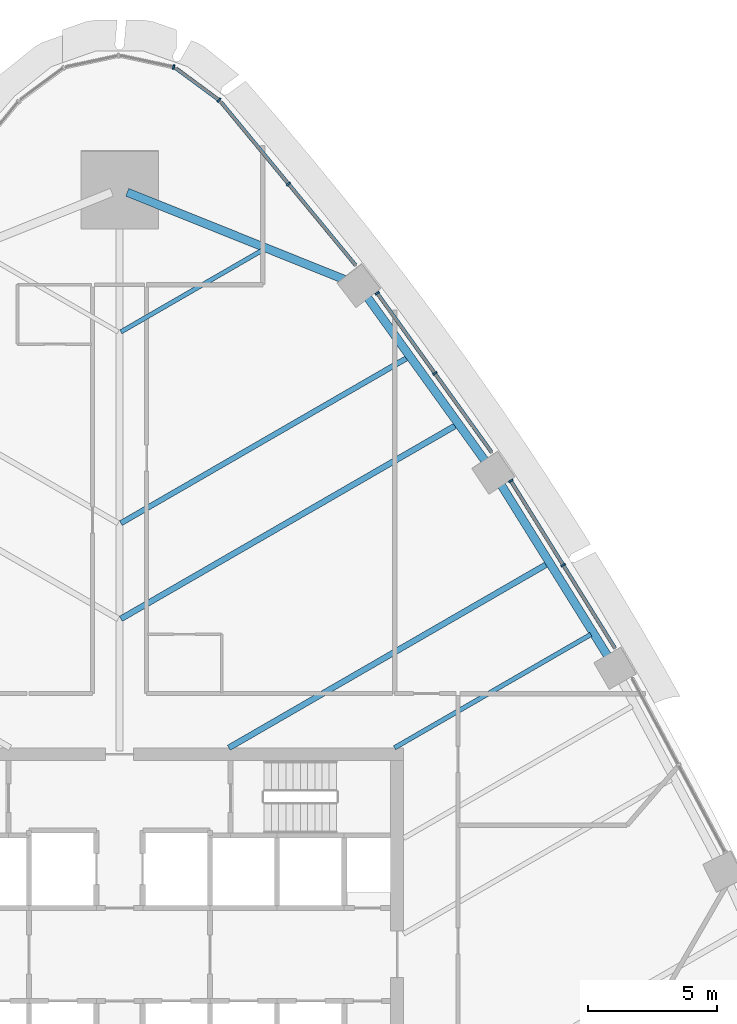
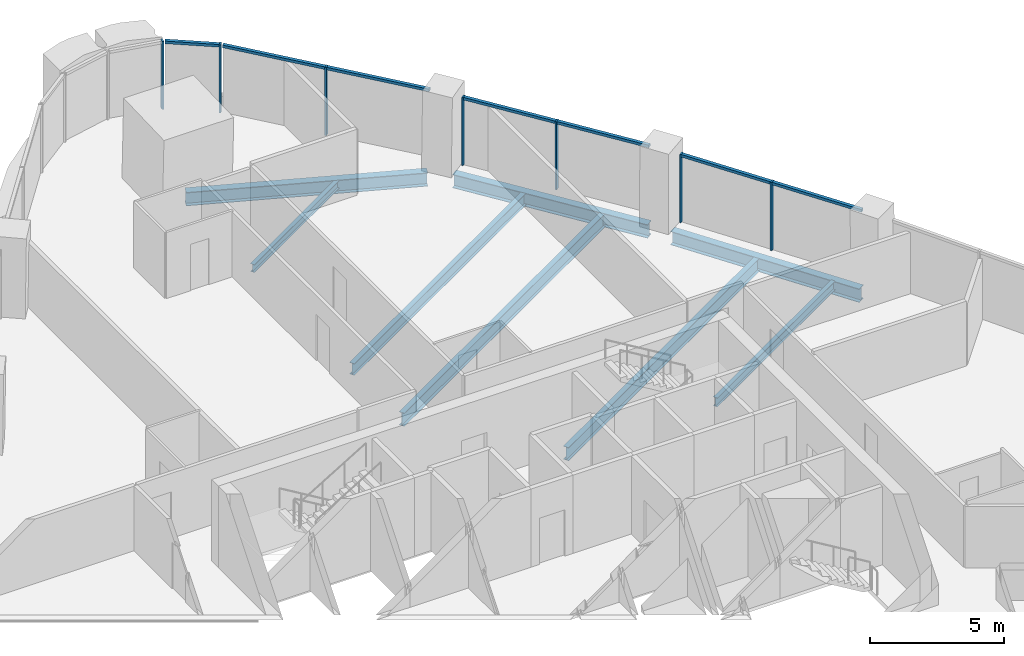
# One storey, part 7 of 17: 14 members, 8 beams, 5 elements without a shape of their own.
"""IFC4 building model written with IfcOpenShell, lengths in metres."""

import ifcopenshell
import ifcopenshell.guid

model = None  # the IFC model being written
_history = None  # IfcOwnerHistory: only IFC2X3 demands one
_inside = {}  # id of a spatial element -> (the spatial element, [elements in it])
_under = {}  # id of a project, library or spatial element -> (it, [spatial elements below it])
_declared = {}  # id of a project -> (the project, [libraries it declares])
_typed = {}  # id of a type object -> (the type object, [elements of that type])
_made_of = {}  # id of a material, layer set ... -> (it, [elements and type objects made of it])


def new_model(schema):
    """Start an empty IFC model of exactly this schema.

    Asked for "IFC4X3", IfcOpenShell would pick the latest addendum, in which some entities
    have other attributes; the version numbers below select the first issue.
    IFC2X3 requires an IfcOwnerHistory on every rooted entity: one is made here for all.
    """
    global model, _history
    if schema == "IFC4X3":
        model = ifcopenshell.file(schema_version=(4, 3, 0, 0))
    else:
        model = ifcopenshell.file(schema=schema)
    _inside.clear()
    _under.clear()
    _declared.clear()
    _typed.clear()
    _made_of.clear()
    _history = None
    if model.schema == "IFC2X3":
        org = make("IfcOrganization", Name="unknown")
        user = make(
            "IfcPersonAndOrganization",
            ThePerson=make("IfcPerson", FamilyName="unknown"),
            TheOrganization=org,
        )
        app = make(
            "IfcApplication",
            ApplicationDeveloper=org,
            Version="unknown",
            ApplicationFullName="unknown",
            ApplicationIdentifier="unknown",
        )
        _history = make(
            "IfcOwnerHistory",
            OwningUser=user,
            OwningApplication=app,
            ChangeAction="ADDED",
            CreationDate=0,
        )
    return model


def make(cls, **values):
    """One entity of the class cls with the attributes given. An attribute that is None is left unset."""
    return model.create_entity(
        cls, **{name: value for name, value in values.items() if value is not None}
    )


def rooted(cls, **values):
    """An entity with a GlobalId (a new one), such as an element, a storey or a relation."""
    return make(cls, GlobalId=ifcopenshell.guid.new(), OwnerHistory=_history, **values)


def si_unit(unit_type, name, prefix=None):
    """IfcSIUnit, for example si_unit("LENGTHUNIT", "METRE", prefix="MILLI")."""
    return make("IfcSIUnit", UnitType=unit_type, Prefix=prefix, Name=name)


def assignment(units):
    """IfcUnitAssignment: the units of a project."""
    return None if units is None else make("IfcUnitAssignment", Units=units)


def point(xyz):
    """IfcCartesianPoint."""
    return None if xyz is None else make("IfcCartesianPoint", Coordinates=xyz)


def direction(xyz):
    """IfcDirection."""
    return None if xyz is None else make("IfcDirection", DirectionRatios=xyz)


def frame(location, z_axis=None, x_axis=None):
    """IfcAxis2Placement3D, a coordinate frame: its origin and axes. An axis left out is left unset."""
    return make(
        "IfcAxis2Placement3D",
        Location=point(location),
        Axis=direction(z_axis),
        RefDirection=direction(x_axis),
    )


def frame_2d(location, x_axis=None):
    """IfcAxis2Placement2D, a coordinate frame in the plane: its origin and x axis."""
    return make(
        "IfcAxis2Placement2D", Location=point(location), RefDirection=direction(x_axis)
    )


def origin():
    """The frame at (0, 0, 0) with its axes left unset."""
    return frame((0.0, 0.0, 0.0))


def origin_2d():
    """The frame at (0, 0) in the plane with its x axis left unset."""
    return frame_2d((0.0, 0.0))


def place(relative_to, where):
    """IfcLocalPlacement: puts the frame where relative to a parent placement (None: the world)."""
    return make(
        "IfcLocalPlacement", PlacementRelTo=relative_to, RelativePlacement=where
    )


def context(
    kind, dimensions, precision=None, world=None, true_north=None, identifier=None
):
    """IfcGeometricRepresentationContext, for example the 3D "Model" context."""
    return make(
        "IfcGeometricRepresentationContext",
        ContextIdentifier=identifier,
        ContextType=kind,
        CoordinateSpaceDimension=dimensions,
        Precision=precision,
        WorldCoordinateSystem=world,
        TrueNorth=true_north,
    )


def subcontext(parent, identifier, kind, view, scale=None):
    """IfcGeometricRepresentationSubContext, for example "Body" below "Model"."""
    return make(
        "IfcGeometricRepresentationSubContext",
        ContextIdentifier=identifier,
        ContextType=kind,
        ParentContext=parent,
        TargetScale=scale,
        TargetView=view,
    )


def project(units=None, contexts=None):
    """IfcProject with its units and contexts."""
    return rooted(
        "IfcProject",
        Name="project",
        RepresentationContexts=contexts,
        UnitsInContext=assignment(units),
    )


def spatial(cls, under=None, at=None, **own):
    """A site, building, storey or space (cls), placed at a placement, below another one or the project."""
    s = rooted(cls, ObjectPlacement=at, **own)
    if under is not None:
        _under.setdefault(under.id(), (under, []))[1].append(s)
    return s


def profile(cls, at=None, kind="AREA", **sizes):
    """A parametric profile (cls). Its sizes go by their IFC names, for example OverallWidth=200.0."""
    return make(cls, ProfileType=kind, Position=at, **sizes)


def rectangle(**sizes):
    """IfcRectangleProfileDef."""
    return profile("IfcRectangleProfileDef", **sizes)


def i_section(**sizes):
    """IfcIShapeProfileDef."""
    return profile("IfcIShapeProfileDef", **sizes)


def extrude(swept, where, along, depth):
    """IfcExtrudedAreaSolid: the profile swept, set in the frame where, extruded along a direction by depth."""
    return make(
        "IfcExtrudedAreaSolid",
        SweptArea=swept,
        Position=where,
        ExtrudedDirection=direction(along),
        Depth=depth,
    )


def shape(context_of_items, identifier, shape_type, items):
    """IfcShapeRepresentation: the items that make up one representation, for example the "Body"."""
    return make(
        "IfcShapeRepresentation",
        ContextOfItems=context_of_items,
        RepresentationIdentifier=identifier,
        RepresentationType=shape_type,
        Items=items,
    )


def material(Name=None, Category=None):
    """IfcMaterial."""
    return make("IfcMaterial", Name=Name, Category=Category)


def layer(
    of_material, thickness, ventilated=None, Name=None, Category=None, Priority=None
):
    """IfcMaterialLayer: one layer of a wall or slab, of a material (None: an air gap)."""
    return make(
        "IfcMaterialLayer",
        Material=of_material,
        LayerThickness=thickness,
        IsVentilated=ventilated,
        Name=Name,
        Category=Category,
        Priority=Priority,
    )


def layer_set(layers, Name=None):
    """IfcMaterialLayerSet."""
    return make("IfcMaterialLayerSet", MaterialLayers=layers, LayerSetName=Name)


def material_profile(
    of_material, cross_section, Name=None, Category=None, Priority=None
):
    """IfcMaterialProfile: a cross section and its material."""
    return make(
        "IfcMaterialProfile",
        Name=Name,
        Material=of_material,
        Profile=cross_section,
        Priority=Priority,
        Category=Category,
    )


def profile_set(profiles, Name=None, composite=None):
    """IfcMaterialProfileSet."""
    return make(
        "IfcMaterialProfileSet",
        Name=Name,
        MaterialProfiles=profiles,
        CompositeProfile=composite,
    )


def made_of(thing, what):
    """Note that an element or type object is made of a material, layer set ...; save() writes the relation."""
    if what is not None:
        _made_of.setdefault(what.id(), (what, []))[1].append(thing)
    return thing


def type_object(cls, material=None, **own):
    """A type object (cls), such as IfcWallType, which elements share."""
    return made_of(rooted(cls, **own), material)


def element(
    cls,
    number,
    at=None,
    inside=None,
    cuts=None,
    type_object=None,
    material=None,
    context=None,
    identifier="Body",
    shape_type=None,
    held_by="IfcProductDefinitionShape",
    body=None,
    shapes=None,
    **own,
):
    """One element of the class cls, such as IfcWall. Its Tag is "e" and its number.

    at: its placement. inside: the storey or other place that contains it. cuts: it is an
    opening in that element (IfcRelVoidsElement). A single representation is given by context,
    identifier, shape_type and body (its items); several are given by shapes. held_by: the class
    of the entity that holds the representations. save() writes the other relations.
    """
    e = rooted(cls, Tag="e%d" % number, ObjectPlacement=at, **own)
    if body is not None:
        shapes = [shape(context, identifier, shape_type, body)]
    if shapes is not None:
        e.Representation = make(held_by, Representations=shapes)
    if inside is not None:
        _inside.setdefault(inside.id(), (inside, []))[1].append(e)
    if cuts is not None:
        rooted(
            "IfcRelVoidsElement", RelatingBuildingElement=cuts, RelatedOpeningElement=e
        )
    if type_object is not None:
        _typed.setdefault(type_object.id(), (type_object, []))[1].append(e)
    return made_of(e, material)


def aggregate(whole, parts):
    """IfcRelAggregates: a whole, such as a stair, and the parts it consists of."""
    return rooted("IfcRelAggregates", RelatingObject=whole, RelatedObjects=parts)


def save(model, path):
    """Write the relations noted so far, then the file.

    IfcRelAggregates (storeys below a building ...), IfcRelContainedInSpatialStructure (elements
    in a storey), IfcRelDefinesByType, IfcRelAssociatesMaterial and IfcRelDeclares: one each for
    every whole, place, type object, material and project.
    """
    for whole, parts in _under.values():
        aggregate(whole, parts)
    for where, things in _inside.values():
        rooted(
            "IfcRelContainedInSpatialStructure",
            RelatedElements=things,
            RelatingStructure=where,
        )
    for kind, things in _typed.values():
        rooted("IfcRelDefinesByType", RelatedObjects=things, RelatingType=kind)
    for what, things in _made_of.values():
        rooted("IfcRelAssociatesMaterial", RelatedObjects=things, RelatingMaterial=what)
    for by, libraries in _declared.values():
        rooted("IfcRelDeclares", RelatingContext=by, RelatedDefinitions=libraries)
    model.write(path)


model = new_model("IFC4")

# Units and contexts
model_context = context("Model", 3, precision=1e-05, world=origin(), true_north=direction((0.0, 1.0)))
body_context = subcontext(model_context, "Body", "Model", "MODEL_VIEW")
ifc_project = project(units=[si_unit("LENGTHUNIT", "METRE"), si_unit("AREAUNIT", "SQUARE_METRE"), si_unit("VOLUMEUNIT", "CUBIC_METRE"), si_unit("PLANEANGLEUNIT", "RADIAN"), si_unit("MASSUNIT", "GRAM", prefix="KILO")], contexts=[model_context])

# Site, building, storey
site_placement = place(None, origin())
site = spatial("IfcSite", under=ifc_project, at=site_placement, CompositionType="ELEMENT")
building_placement = place(site_placement, origin())
building = spatial("IfcBuilding", under=site, at=building_placement, Name="Sierra Prisma Convention Tower", CompositionType="ELEMENT")
storey_placement = place(building_placement, frame((0.0, 0.0, 99.800048828125)))
storey = spatial("IfcBuildingStorey", under=building, at=storey_placement, Name="L21", CompositionType="ELEMENT", Elevation=99.800048828125)

# Curtain wall, members
ifc_material_1 = material(Name="Aluminium and glass curtain wall", Category="aluminium")
ifc_layer = layer(ifc_material_1, 0.179931640625)
ifc_layer_set = layer_set([ifc_layer], Name="CW-1 Plain shaft curtain wall")
curtain_wall_type = type_object("IfcCurtainWallType", Name="CW-1 Plain shaft curtain wall", PredefinedType="NOTDEFINED", material=ifc_layer_set)
curtain_wall_1_placement = place(storey_placement, origin())
curtain_wall_1 = element("IfcCurtainWall", 1, at=curtain_wall_1_placement, inside=storey, type_object=curtain_wall_type, Name="CW-1 NE4 L21", PredefinedType="NOTDEFINED")
ifc_material_2 = material(Name="Aluminium 6063-T6 bronze anodised", Category="aluminium")
ifc_material_profile_1 = material_profile(ifc_material_2, rectangle(XDim=0.179931640625, YDim=0.070068359375, at=origin_2d()), Name="ALU MULLION 70x180")
ifc_profile_set_1 = profile_set([ifc_material_profile_1], Name="Aluminium 6063-T6 bronze anodised")
member_type_1 = type_object("IfcMemberType", Name="CW mullion bronze", PredefinedType="MULLION", material=ifc_profile_set_1)
member_1_placement = place(storey_placement, frame((17.178466796875, 15.0771484375, 0.0), z_axis=(0.0, 0.0, 1.0), x_axis=(-0.848902452904, -0.528549548722, 0.0)))
member_1 = element("IfcMember", 2, at=member_1_placement, type_object=member_type_1, Name="CW-1 mullion NE4.2", PredefinedType="MULLION", context=body_context, shape_type="SweptSolid", body=[
    extrude(rectangle(XDim=0.179931640625, YDim=0.070068359375, at=origin_2d()), origin(), (0.0, 0.0, 1.0), 3.099853515625),
])
member_2_placement = place(storey_placement, frame((15.151123046875, 18.3330078125, 0.0), z_axis=(0.0, 0.0, 1.0), x_axis=(-0.848902452904, -0.528549548722, 0.0)))
member_2 = element("IfcMember", 3, at=member_2_placement, type_object=member_type_1, Name="CW-1 mullion NE4.3", PredefinedType="MULLION", context=body_context, shape_type="SweptSolid", body=[
    extrude(rectangle(XDim=0.179931640625, YDim=0.070068359375, at=origin_2d()), origin(), (0.0, 0.0, 1.0), 3.099853515625),
])

curtain_wall_2_placement = place(storey_placement, origin())
curtain_wall_2 = element("IfcCurtainWall", 4, at=curtain_wall_2_placement, inside=storey, type_object=curtain_wall_type, Name="CW-1 NE5 L21", PredefinedType="NOTDEFINED")
member_3_placement = place(storey_placement, frame((12.207763671875, 22.49951171875, 0.0), z_axis=(0.0, 0.0, 1.0), x_axis=(-0.811854125808, -0.583860324401, 0.0)))
member_3 = element("IfcMember", 5, at=member_3_placement, type_object=member_type_1, Name="CW-1 mullion NE5.2", PredefinedType="MULLION", context=body_context, shape_type="SweptSolid", body=[
    extrude(rectangle(XDim=0.179931640625, YDim=0.070068359375, at=origin_2d()), origin(), (0.0, 0.0, 1.0), 3.099853515625),
])
member_4_placement = place(storey_placement, frame((9.9775390625, 25.600830078125, 0.0), z_axis=(0.0, 0.0, 1.0), x_axis=(-0.811854125808, -0.583860324401, 0.0)))
member_4 = element("IfcMember", 6, at=member_4_placement, type_object=member_type_1, Name="CW-1 mullion NE5.3", PredefinedType="MULLION", context=body_context, shape_type="SweptSolid", body=[
    extrude(rectangle(XDim=0.179931640625, YDim=0.070068359375, at=origin_2d()), origin(), (0.0, 0.0, 1.0), 3.099853515625),
])

# Curtain wall, member
curtain_wall_3_placement = place(storey_placement, origin())
curtain_wall_3 = element("IfcCurtainWall", 7, at=curtain_wall_3_placement, inside=storey, type_object=curtain_wall_type, Name="CW-1 NE6 L21", PredefinedType="NOTDEFINED")
member_5_placement = place(storey_placement, frame((6.54052734375, 29.83544921875, 0.0), z_axis=(0.0, 0.0, 1.0), x_axis=(-0.771207774523, -0.636583512601, 0.0)))
member_5 = element("IfcMember", 8, at=member_5_placement, type_object=member_type_1, Name="CW-1 mullion NE6.2", PredefinedType="MULLION", context=body_context, shape_type="SweptSolid", body=[
    extrude(rectangle(XDim=0.179931640625, YDim=0.070068359375, at=origin_2d()), origin(), (0.0, 0.0, 1.0), 3.099853515625),
])

curtain_wall_4_placement = place(storey_placement, origin())
curtain_wall_4 = element("IfcCurtainWall", 9, at=curtain_wall_4_placement, inside=storey, type_object=curtain_wall_type, Name="CW-1 N1 L21", PredefinedType="NOTDEFINED")
member_6_placement = place(storey_placement, frame((3.853759765625, 33.0771484375, 0.0), z_axis=(0.0, 0.0, 1.0), x_axis=(-0.593646766455, -0.804725740037, 0.0)))
member_6 = element("IfcMember", 10, at=member_6_placement, type_object=member_type_1, Name="CW-1 mullion N1.1", PredefinedType="MULLION", context=body_context, shape_type="SweptSolid", body=[
    extrude(rectangle(XDim=0.179931640625, YDim=0.070068359375, at=origin_2d()), origin(), (0.0, 0.0, 1.0), 3.099853515625),
])

curtain_wall_5_placement = place(storey_placement, origin())
curtain_wall_5 = element("IfcCurtainWall", 11, at=curtain_wall_5_placement, inside=storey, type_object=curtain_wall_type, Name="CW-1 N2 L21", PredefinedType="NOTDEFINED")
member_7_placement = place(storey_placement, frame((2.094970703125, 34.356689453125, 0.0), z_axis=(0.0, 0.0, 1.0), x_axis=(-0.210279651786, -0.977641277793, 0.0)))
member_7 = element("IfcMember", 12, at=member_7_placement, type_object=member_type_1, Name="CW-1 mullion N2.1", PredefinedType="MULLION", context=body_context, shape_type="SweptSolid", body=[
    extrude(rectangle(XDim=0.179931640625, YDim=0.070068359375, at=origin_2d()), origin(), (0.0, 0.0, 1.0), 3.099853515625),
])
aggregate(curtain_wall_5, [member_7])

# Member
ifc_material_3 = material(Name="Aluminium 6063-T6 bronze anodised", Category="aluminium")
ifc_material_profile_2 = material_profile(ifc_material_3, rectangle(XDim=0.139892578125, YDim=0.1201171875, at=origin_2d()), Name="ALU TRANSOM 120x140")
ifc_profile_set_2 = profile_set([ifc_material_profile_2], Name="Aluminium 6063-T6 bronze anodised")
member_type_2 = type_object("IfcMemberType", Name="CW transom bronze", PredefinedType="USERDEFINED", material=ifc_profile_set_2)
member_8_placement = place(storey_placement, frame((19.18701171875, 11.850830078125, 3.0400390625), z_axis=(-0.528500266336, 0.84893313546, 0.0), x_axis=(-0.84893313546, -0.528500266336, 0.0)))
member_8 = element("IfcMember", 13, at=member_8_placement, type_object=member_type_2, Name="CW-1 transom NE4.1", ObjectType="TRANSOM", PredefinedType="USERDEFINED", context=body_context, shape_type="SweptSolid", body=[
    extrude(rectangle(XDim=0.139892578125, YDim=0.1201171875, at=origin_2d()), origin(), (0.0, 0.0, 1.0), 3.765380859375),
])

member_9_placement = place(storey_placement, frame((17.159912109375, 15.106689453125, 3.0400390625), z_axis=(-0.528546992375, 0.848904044549, 0.0), x_axis=(-0.848904044549, -0.528546992375, 0.0)))
member_9 = element("IfcMember", 14, at=member_9_placement, type_object=member_type_2, Name="CW-1 transom NE4.2", ObjectType="TRANSOM", PredefinedType="USERDEFINED", context=body_context, shape_type="SweptSolid", body=[
    extrude(rectangle(XDim=0.139892578125, YDim=0.1201171875, at=origin_2d()), origin(), (0.0, 0.0, 1.0), 3.765380859375),
])

aggregate(curtain_wall_1, [member_1, member_2, member_8, member_9])

member_10_placement = place(storey_placement, frame((14.417724609375, 19.4267578125, 3.0400390625), z_axis=(-0.583858715212, 0.811855283084, 0.0), x_axis=(-0.811855283084, -0.583858715212, 0.0)))
member_10 = element("IfcMember", 15, at=member_10_placement, type_object=member_type_2, Name="CW-1 transom NE5.1", ObjectType="TRANSOM", PredefinedType="USERDEFINED", context=body_context, shape_type="SweptSolid", body=[
    extrude(rectangle(XDim=0.139892578125, YDim=0.1201171875, at=origin_2d()), origin(), (0.0, 0.0, 1.0), 3.75),
])

member_11_placement = place(storey_placement, frame((12.1875, 22.52783203125, 3.0400390625), z_axis=(-0.583858715212, 0.811855283084, 0.0), x_axis=(-0.811855283084, -0.583858715212, 0.0)))
member_11 = element("IfcMember", 16, at=member_11_placement, type_object=member_type_2, Name="CW-1 transom NE5.2", ObjectType="TRANSOM", PredefinedType="USERDEFINED", context=body_context, shape_type="SweptSolid", body=[
    extrude(rectangle(XDim=0.139892578125, YDim=0.1201171875, at=origin_2d()), origin(), (0.0, 0.0, 1.0), 3.75),
])

aggregate(curtain_wall_2, [member_3, member_4, member_10, member_11])

member_12_placement = place(storey_placement, frame((9.15478515625, 26.668212890625, 3.0400390625), z_axis=(-0.636555978825, 0.771230501097, 0.0), x_axis=(-0.771230501097, -0.636555978825, 0.0)))
member_12 = element("IfcMember", 17, at=member_12_placement, type_object=member_type_2, Name="CW-1 transom NE6.1", ObjectType="TRANSOM", PredefinedType="USERDEFINED", context=body_context, shape_type="SweptSolid", body=[
    extrude(rectangle(XDim=0.139892578125, YDim=0.1201171875, at=origin_2d()), origin(), (0.0, 0.0, 1.0), 4.071533203125),
])

member_13_placement = place(storey_placement, frame((6.518310546875, 29.8623046875, 3.0400390625), z_axis=(-0.636591641936, 0.771201064197, 0.0), x_axis=(-0.771201064197, -0.636591641936, 0.0)))
member_13 = element("IfcMember", 18, at=member_13_placement, type_object=member_type_2, Name="CW-1 transom NE6.2", ObjectType="TRANSOM", PredefinedType="USERDEFINED", context=body_context, shape_type="SweptSolid", body=[
    extrude(rectangle(XDim=0.139892578125, YDim=0.1201171875, at=origin_2d()), origin(), (0.0, 0.0, 1.0), 4.07177734375),
])

aggregate(curtain_wall_3, [member_5, member_12, member_13])

member_14_placement = place(storey_placement, frame((3.825439453125, 33.09814453125, 3.0400390625), z_axis=(-0.804733512793, 0.593636229848, 0.0), x_axis=(-0.593636229848, -0.804733512793, 0.0)))
member_14 = element("IfcMember", 19, at=member_14_placement, type_object=member_type_2, Name="CW-1 transom N1.1", ObjectType="TRANSOM", PredefinedType="USERDEFINED", context=body_context, shape_type="SweptSolid", body=[
    extrude(rectangle(XDim=0.139892578125, YDim=0.1201171875, at=origin_2d()), origin(), (0.0, 0.0, 1.0), 2.037841796875),
])

aggregate(curtain_wall_4, [member_6, member_14])

# Beams
ifc_material_4 = material(Name="Steel ASTM A992 Gr 50", Category="steel")
ifc_material_profile_3 = material_profile(ifc_material_4, i_section(OverallWidth=0.172119140625, OverallDepth=0.35791015625, WebThickness=0.0078125, FlangeThickness=0.01318359375, at=origin_2d()), Name="W360x57")
ifc_profile_set_3 = profile_set([ifc_material_profile_3], Name="Steel ASTM A992 Gr 50")
beam_type_1 = type_object("IfcBeamType", Name="Floor joist W360x57", PredefinedType="JOIST", material=ifc_profile_set_3)
beam_1_placement = place(storey_placement, frame((5.538818359375, 27.271240234375, -0.3291015625), z_axis=(-0.866026414276, -0.499998249773, 0.0), x_axis=(0.499998249773, -0.866026414276, 0.0)))
element("IfcBeam", 20, at=beam_1_placement, inside=storey, type_object=beam_type_1, Name="Floor joist L21 NE15", PredefinedType="JOIST", context=body_context, shape_type="SweptSolid", body=[
    extrude(i_section(OverallWidth=0.172119140625, OverallDepth=0.35791015625, WebThickness=0.0078125, FlangeThickness=0.01318359375, at=origin_2d()), origin(), (0.0, 0.0, 1.0), 6.33447265625),
])
ifc_material_5 = material(Name="Steel ASTM A992 Gr 50", Category="steel")
ifc_material_profile_4 = material_profile(ifc_material_5, i_section(OverallWidth=0.177978515625, OverallDepth=0.406982421875, WebThickness=0.0078125, FlangeThickness=0.0126953125, at=origin_2d()), Name="W410x60")
ifc_profile_set_4 = profile_set([ifc_material_profile_4], Name="Steel ASTM A992 Gr 50")
beam_type_2 = type_object("IfcBeamType", Name="Floor joist W410x60", PredefinedType="JOIST", material=ifc_profile_set_4)
beam_2_placement = place(storey_placement, frame((18.249267578125, 12.387939453125, -0.353515625), z_axis=(-0.866031321059, -0.49998975084, 0.0), x_axis=(0.49998975084, -0.866031321059, 0.0)))
element("IfcBeam", 21, at=beam_2_placement, inside=storey, type_object=beam_type_2, Name="Floor joist L21 NE09", PredefinedType="JOIST", context=body_context, shape_type="SweptSolid", body=[
    extrude(i_section(OverallWidth=0.177978515625, OverallDepth=0.406982421875, WebThickness=0.0078125, FlangeThickness=0.0126953125, at=origin_2d()), origin(), (0.0, 0.0, 1.0), 8.776123046875),
])
ifc_material_6 = material(Name="Steel ASTM A992 Gr 50", Category="steel")
ifc_material_profile_5 = material_profile(ifc_material_6, i_section(OverallWidth=0.208984375, OverallDepth=0.532958984375, WebThickness=0.01025390625, FlangeThickness=0.015625, at=origin_2d()), Name="W530x92")
ifc_profile_set_5 = profile_set([ifc_material_profile_5], Name="Steel ASTM A992 Gr 50")
beam_type_3 = type_object("IfcBeamType", Name="Floor joist W530x92", PredefinedType="JOIST", material=ifc_profile_set_5)
beam_3_placement = place(storey_placement, frame((11.144287109375, 23.100341796875, -0.41650390625), z_axis=(-0.866025591402, -0.499999675036, 0.0), x_axis=(0.499999675036, -0.866025591402, 0.0)))
element("IfcBeam", 22, at=beam_3_placement, inside=storey, type_object=beam_type_3, Name="Floor joist L21 NE13", PredefinedType="JOIST", context=body_context, shape_type="SweptSolid", body=[
    extrude(i_section(OverallWidth=0.208984375, OverallDepth=0.532958984375, WebThickness=0.01025390625, FlangeThickness=0.015625, at=origin_2d()), origin(), (0.0, 0.0, 1.0), 12.80712890625),
])
ifc_material_7 = material(Name="Steel ASTM A992 Gr 50", Category="steel")
ifc_material_profile_6 = material_profile(ifc_material_7, i_section(OverallWidth=0.22802734375, OverallDepth=0.60302734375, WebThickness=0.010498046875, FlangeThickness=0.014892578125, at=origin_2d()), Name="W610x101")
ifc_profile_set_6 = profile_set([ifc_material_profile_6], Name="Steel ASTM A992 Gr 50")
beam_type_4 = type_object("IfcBeamType", Name="Floor joist W610x101", PredefinedType="JOIST", material=ifc_profile_set_6)
beam_4_placement = place(storey_placement, frame((16.552978515625, 15.1123046875, -0.45166015625), z_axis=(-0.866024956998, -0.500000773857, 0.0), x_axis=(0.500000773857, -0.866024956998, 0.0)))
element("IfcBeam", 23, at=beam_4_placement, inside=storey, type_object=beam_type_4, Name="Floor joist L21 NE10", PredefinedType="JOIST", context=body_context, shape_type="SweptSolid", body=[
    extrude(i_section(OverallWidth=0.22802734375, OverallDepth=0.60302734375, WebThickness=0.010498046875, FlangeThickness=0.014892578125, at=origin_2d()), origin(), (0.0, 0.0, 1.0), 14.224609375),
])
beam_5_placement = place(storey_placement, frame((13.0263671875, 20.4833984375, -0.45166015625), z_axis=(-0.866024104981, -0.500002249587, 0.0), x_axis=(0.500002249587, -0.866024104981, 0.0)))
element("IfcBeam", 24, at=beam_5_placement, inside=storey, type_object=beam_type_4, Name="Floor joist L21 NE12", PredefinedType="JOIST", context=body_context, shape_type="SweptSolid", body=[
    extrude(i_section(OverallWidth=0.22802734375, OverallDepth=0.60302734375, WebThickness=0.010498046875, FlangeThickness=0.014892578125, at=origin_2d()), origin(), (0.0, 0.0, 1.0), 14.98046875),
])
ifc_material_8 = material(Name="Steel ASTM A992 Gr 50", Category="steel")
ifc_material_profile_7 = material_profile(ifc_material_8, i_section(OverallWidth=0.324951171875, OverallDepth=0.615966796875, WebThickness=0.013916015625, FlangeThickness=0.021484375, at=origin_2d()), Name="W610x174")
ifc_profile_set_7 = profile_set([ifc_material_profile_7], Name="Steel ASTM A992 Gr 50")
beam_type_5 = type_object("IfcBeamType", Name="Spandrel beam W610x174", PredefinedType="BEAM", material=ifc_profile_set_7)
beam_6_placement = place(storey_placement, frame((18.94091796875, 11.48974609375, -0.4580078125), z_axis=(-0.52853261746, 0.848912994529, 0.0), x_axis=(-0.848912994529, -0.52853261746, 0.0)))
element("IfcBeam", 25, at=beam_6_placement, inside=storey, type_object=beam_type_5, Name="Spandrel L21-10", PredefinedType="BEAM", context=body_context, shape_type="SweptSolid", body=[
    extrude(i_section(OverallWidth=0.324951171875, OverallDepth=0.615966796875, WebThickness=0.013916015625, FlangeThickness=0.021484375, at=origin_2d()), origin(), (0.0, 0.0, 1.0), 7.96630859375),
])
beam_7_placement = place(storey_placement, frame((14.196044921875, 19.050048828125, -0.4580078125), z_axis=(-0.583844427448, 0.811865558167, 0.0), x_axis=(-0.811865558167, -0.583844427448, 0.0)))
element("IfcBeam", 26, at=beam_7_placement, inside=storey, type_object=beam_type_5, Name="Spandrel L21-11", PredefinedType="BEAM", context=body_context, shape_type="SweptSolid", body=[
    extrude(i_section(OverallWidth=0.324951171875, OverallDepth=0.615966796875, WebThickness=0.013916015625, FlangeThickness=0.021484375, at=origin_2d()), origin(), (0.0, 0.0, 1.0), 7.966064453125),
])
beam_8_placement = place(storey_placement, frame((8.72998046875, 26.1220703125, -0.4580078125), z_axis=(-0.92793451709, 0.372743252108, 0.0), x_axis=(-0.372743252108, -0.92793451709, 0.0)))
element("IfcBeam", 27, at=beam_8_placement, inside=storey, type_object=beam_type_5, Name="Spandrel L21-12", PredefinedType="BEAM", context=body_context, shape_type="SweptSolid", body=[
    extrude(i_section(OverallWidth=0.324951171875, OverallDepth=0.615966796875, WebThickness=0.013916015625, FlangeThickness=0.021484375, at=origin_2d()), origin(), (0.0, 0.0, 1.0), 9.084716796875),
])

save(model, "model.ifc")
